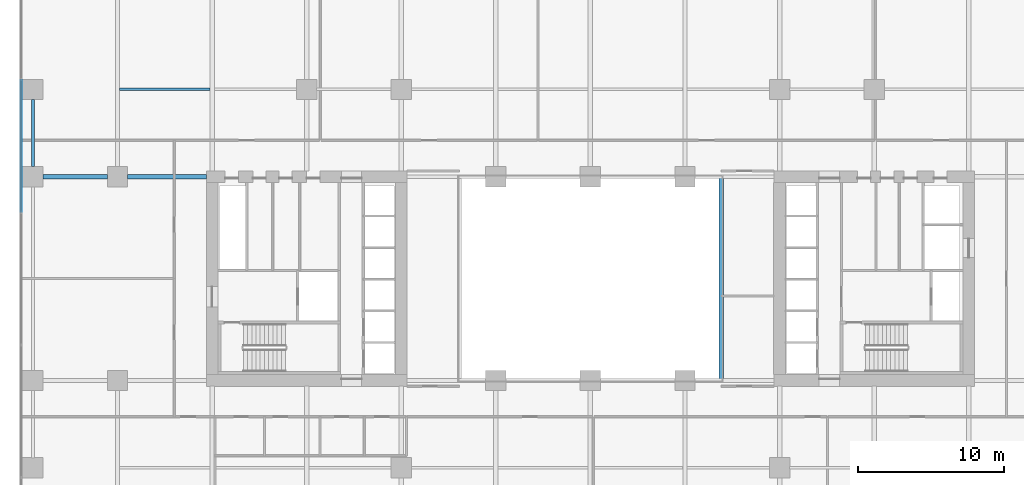
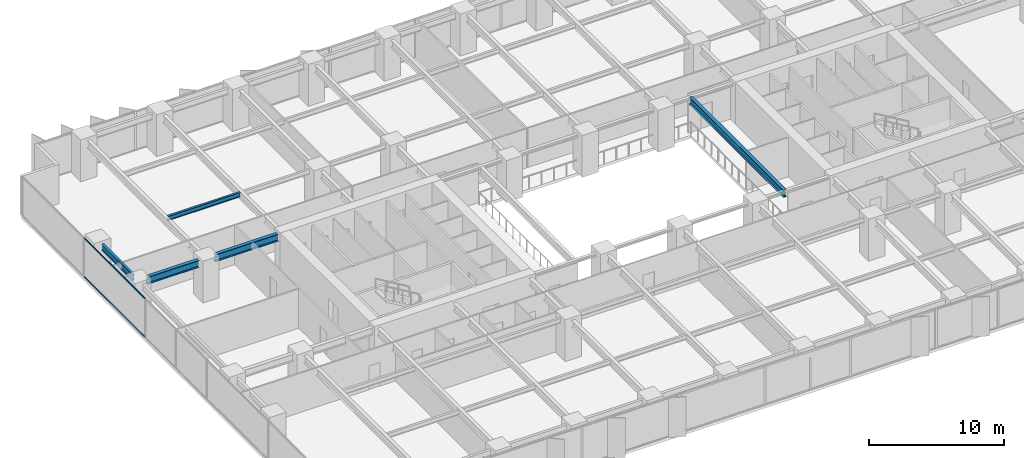
# One storey, part 6 of 20: 5 beams, 2 members, 1 element without a shape of its own.
"""IFC4 building model written with IfcOpenShell, lengths in metres."""

from ifc_helpers import new_model, si_unit, direction, frame, origin, origin_2d, place, context, subcontext, project, spatial, rectangle, i_section, extrude, material, layer, layer_set, material_profile, profile_set, type_object, element, aggregate, save


model = new_model("IFC4")

# Units and contexts
model_context = context("Model", 3, precision=1e-05, world=origin(), true_north=direction((0.0, 1.0)))
body_context = subcontext(model_context, "Body", "Model", "MODEL_VIEW")
ifc_project = project(units=[si_unit("LENGTHUNIT", "METRE"), si_unit("AREAUNIT", "SQUARE_METRE"), si_unit("VOLUMEUNIT", "CUBIC_METRE"), si_unit("PLANEANGLEUNIT", "RADIAN"), si_unit("MASSUNIT", "GRAM", prefix="KILO")], contexts=[model_context])

# Site, building, storey
site_placement = place(None, origin())
site = spatial("IfcSite", under=ifc_project, at=site_placement, CompositionType="ELEMENT")
building_placement = place(site_placement, origin())
building = spatial("IfcBuilding", under=site, at=building_placement, Name="Putna Gate Headquarters", CompositionType="ELEMENT")
storey_placement = place(building_placement, frame((0.0, 0.0, 46.800048828125)))
storey = spatial("IfcBuildingStorey", under=building, at=storey_placement, Name="L10", CompositionType="ELEMENT", Elevation=46.800048828125)

# Beams
ifc_material_1 = material(Name="Steel S355J2", Category="steel")
ifc_material_profile_1 = material_profile(ifc_material_1, i_section(OverallWidth=0.300048828125, OverallDepth=0.64990234375, WebThickness=0.01611328125, FlangeThickness=0.031005859375, at=origin_2d()), Name="Steel S355J2")
ifc_profile_set_1 = profile_set([ifc_material_profile_1], Name="Steel S355J2")
beam_type_1 = type_object("IfcBeamType", Name="BM-GIRD-Z1-HEB650", PredefinedType="USERDEFINED", material=ifc_profile_set_1)
beam_1_placement = place(storey_placement, frame((1.367919921875, 33.0, 3.224853515625), z_axis=(1.0, 0.0, 0.0), x_axis=(0.0, 1.0, 0.0)))
element("IfcBeam", 1, at=beam_1_placement, inside=storey, type_object=beam_type_1, Name="L10 West Wing Girder Y33-1", ObjectType="GIRDER", PredefinedType="USERDEFINED", context=body_context, shape_type="SweptSolid", body=[
    extrude(i_section(OverallWidth=0.300048828125, OverallDepth=0.64990234375, WebThickness=0.01611328125, FlangeThickness=0.031005859375, at=origin_2d()), origin(), (0.0, 0.0, 1.0), 4.444091796875),
])
beam_2_placement = place(storey_placement, frame((7.18798828125, 33.0, 3.224853515625), z_axis=(1.0, 0.0, 0.0), x_axis=(0.0, 1.0, 0.0)))
element("IfcBeam", 2, at=beam_2_placement, inside=storey, type_object=beam_type_1, Name="L10 West Wing Girder Y33-2", ObjectType="GIRDER", PredefinedType="USERDEFINED", context=body_context, shape_type="SweptSolid", body=[
    extrude(i_section(OverallWidth=0.300048828125, OverallDepth=0.64990234375, WebThickness=0.01611328125, FlangeThickness=0.031005859375, at=origin_2d()), origin(), (0.0, 0.0, 1.0), 5.427001953125),
])
beam_3_placement = place(storey_placement, frame((48.0, 19.010009765625, 3.224853515625), z_axis=(0.0, 1.0, 0.0), x_axis=(-1.0, 0.0, 0.0)))
element("IfcBeam", 3, at=beam_3_placement, inside=storey, type_object=beam_type_1, Name="L10 Atrium Trim Girder AE", ObjectType="GIRDER", PredefinedType="USERDEFINED", context=body_context, shape_type="SweptSolid", body=[
    extrude(i_section(OverallWidth=0.300048828125, OverallDepth=0.64990234375, WebThickness=0.01611328125, FlangeThickness=0.031005859375, at=origin_2d()), origin(), (0.0, 0.0, 1.0), 13.97998046875),
])
ifc_material_profile_2 = material_profile(ifc_material_1, i_section(OverallWidth=0.179931640625, OverallDepth=0.39990234375, WebThickness=0.008544921875, FlangeThickness=0.013427734375, at=origin_2d()), Name="Steel S355J2")
ifc_profile_set_2 = profile_set([ifc_material_profile_2], Name="Steel S355J2")
beam_type_2 = type_object("IfcBeamType", Name="BM-SEC-Z1-IPE400", PredefinedType="BEAM", material=ifc_profile_set_2)
beam_4_placement = place(storey_placement, frame((6.654052734375, 39.0, 3.349853515625), z_axis=(1.0, 0.0, 0.0), x_axis=(0.0, 1.0, 0.0)))
element("IfcBeam", 4, at=beam_4_placement, inside=storey, type_object=beam_type_2, Name="L10 North Secondary Beam 1", PredefinedType="BEAM", context=body_context, shape_type="SweptSolid", body=[
    extrude(i_section(OverallWidth=0.179931640625, OverallDepth=0.39990234375, WebThickness=0.008544921875, FlangeThickness=0.013427734375, at=origin_2d()), origin(), (0.0, 0.0, 1.0), 6.19189453125),
])
ifc_material_profile_3 = material_profile(ifc_material_1, i_section(OverallWidth=0.2099609375, OverallDepth=0.550048828125, WebThickness=0.010986328125, FlangeThickness=0.01708984375, at=origin_2d()), Name="Steel S355J2")
ifc_profile_set_3 = profile_set([ifc_material_profile_3], Name="Steel S355J2")
beam_type_3 = type_object("IfcBeamType", Name="BM-SPAN-Z1-IPE550", PredefinedType="SPANDREL", material=ifc_profile_set_3)
beam_5_placement = place(storey_placement, frame((0.679931640625, 33.68798828125, 3.27490234375), z_axis=(0.0, 1.0, 0.0), x_axis=(-1.0, 0.0, 0.0)))
element("IfcBeam", 5, at=beam_5_placement, inside=storey, type_object=beam_type_3, Name="L10 W End Spandrel 3", PredefinedType="SPANDREL", context=body_context, shape_type="SweptSolid", body=[
    extrude(i_section(OverallWidth=0.2099609375, OverallDepth=0.550048828125, WebThickness=0.010986328125, FlangeThickness=0.01708984375, at=origin_2d()), origin(), (0.0, 0.0, 1.0), 4.6240234375),
])

# Curtain wall, members
ifc_material_2 = material(Name="Anodised bronze aluminium curtain wall", Category="aluminium")
ifc_layer = layer(ifc_material_2, 0.179931640625)
ifc_layer_set = layer_set([ifc_layer], Name="Anodised bronze aluminium curtain wall")
curtain_wall_type = type_object("IfcCurtainWallType", Name="CW-SYS-Z1", PredefinedType="USERDEFINED", material=ifc_layer_set)
curtain_wall_placement = place(storey_placement, origin())
curtain_wall = element("IfcCurtainWall", 6, at=curtain_wall_placement, inside=storey, type_object=curtain_wall_type, Name="L10 West Curtain Wall", ObjectType="STICK CURTAIN WALL", PredefinedType="USERDEFINED")
ifc_material_3 = material(Name="Anodised bronze aluminium EN AW-6060", Category="aluminium")
ifc_material_profile_4 = material_profile(ifc_material_3, rectangle(XDim=0.06494140625, YDim=0.1201171875, at=origin_2d()), Name="Anodised bronze aluminium EN AW-6060")
ifc_profile_set_4 = profile_set([ifc_material_profile_4], Name="Anodised bronze aluminium EN AW-6060")
member_type = type_object("IfcMemberType", Name="TRAN-CWT-1", PredefinedType="USERDEFINED", material=ifc_profile_set_4)
member_1_placement = place(storey_placement, frame((-0.1201171875, 30.594970703125, 0.032470703125), z_axis=(0.0, 1.0, 0.0), x_axis=(-1.0, 0.0, 0.0)))
member_1 = element("IfcMember", 7, at=member_1_placement, type_object=member_type, Name="CWS-1 transom 4.1", ObjectType="TRANSOM", PredefinedType="USERDEFINED", context=body_context, shape_type="SweptSolid", body=[
    extrude(rectangle(XDim=0.06494140625, YDim=0.1201171875, at=origin_2d()), origin(), (0.0, 0.0, 1.0), 9.050048828125),
])
member_2_placement = place(storey_placement, frame((-0.1201171875, 30.594970703125, 3.517333984375), z_axis=(0.0, 1.0, 0.0), x_axis=(-1.0, 0.0, 0.0)))
member_2 = element("IfcMember", 8, at=member_2_placement, type_object=member_type, Name="CWS-1 transom 4.2", ObjectType="TRANSOM", PredefinedType="USERDEFINED", context=body_context, shape_type="SweptSolid", body=[
    extrude(rectangle(XDim=0.06494140625, YDim=0.1201171875, at=origin_2d()), origin(), (0.0, 0.0, 1.0), 9.050048828125),
])
aggregate(curtain_wall, [member_1, member_2])

save(model, "model.ifc")
